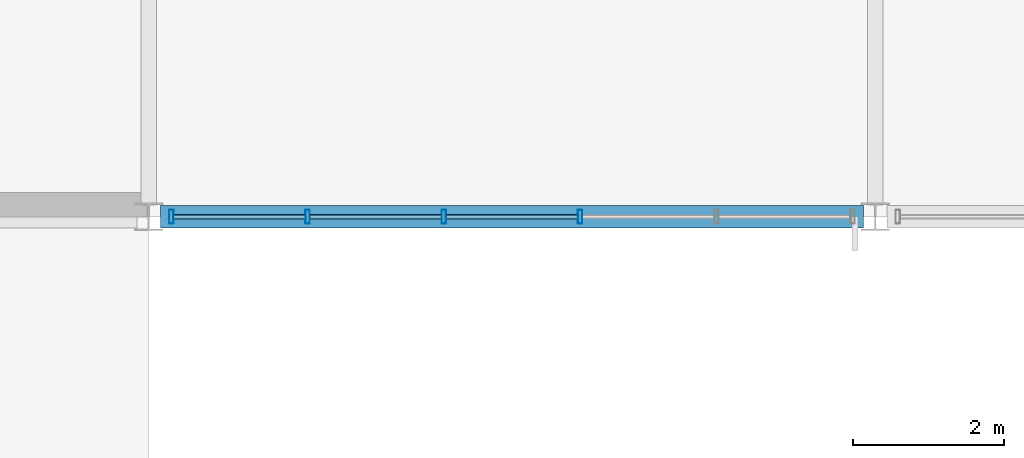
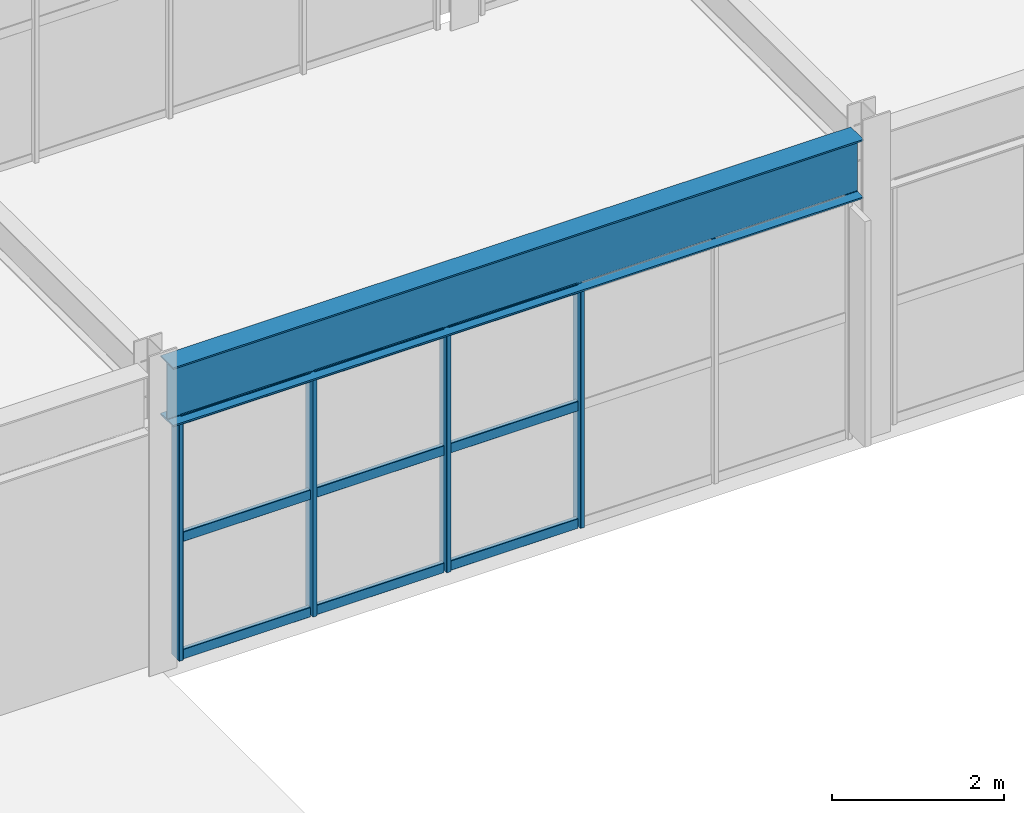
# One storey, part 53 of 170: 13 members, 1 beam, 1 element without a shape of its own.
"""IFC4 building model written with IfcOpenShell, lengths in metres."""

from ifc_helpers import new_model, si_unit, direction, frame, origin, origin_2d, place, context, subcontext, project, spatial, hollow_rectangle, i_section, extrude, material, material_profile, profile_set, type_object, element, aggregate, save


model = new_model("IFC4")

# Units and contexts
model_context = context("Model", 3, precision=1e-05, world=origin(), true_north=direction((0.0, 1.0)))
body_context = subcontext(model_context, "Body", "Model", "MODEL_VIEW")
ifc_project = project(units=[si_unit("LENGTHUNIT", "METRE"), si_unit("AREAUNIT", "SQUARE_METRE"), si_unit("VOLUMEUNIT", "CUBIC_METRE"), si_unit("PLANEANGLEUNIT", "RADIAN"), si_unit("MASSUNIT", "GRAM", prefix="KILO")], contexts=[model_context])

# Site, building, storey
site_placement = place(None, origin())
site = spatial("IfcSite", under=ifc_project, at=site_placement, CompositionType="ELEMENT")
building_placement = place(site_placement, origin())
building = spatial("IfcBuilding", under=site, at=building_placement, Name="Coralgate Yard Interchange", CompositionType="ELEMENT")
storey_placement = place(building_placement, frame((0.0, 0.0, 6.0)))
storey = spatial("IfcBuildingStorey", under=building, at=storey_placement, Name="L01", CompositionType="ELEMENT", Elevation=6.0)

# Beam
ifc_material_1 = material(Name="Structural steel S355J2", Category="steel")
ifc_material_profile_1 = material_profile(ifc_material_1, i_section(OverallWidth=0.29248046875, OverallDepth=0.8408203125, WebThickness=0.0146484375, FlangeThickness=0.021728515625, FilletRadius=0.017822265625, at=origin_2d()), Name="UB 838x292x194")
ifc_profile_set_1 = profile_set([ifc_material_profile_1], Name="Structural steel S355J2")
beam_type = type_object("IfcBeamType", Name="BM-SG-2", PredefinedType="BEAM", material=ifc_profile_set_1)
beam_placement = place(storey_placement, frame((57.75634765625, 38.39990234375, 3.82958984375), z_axis=(1.0, 0.0, 0.0), x_axis=(0.0, 1.0, 0.0)))
element("IfcBeam", 1, at=beam_placement, inside=storey, type_object=beam_type, Name="L01 primary grid beam Y4 X6-7", PredefinedType="BEAM", context=body_context, shape_type="SweptSolid", body=[
    extrude(i_section(OverallWidth=0.29248046875, OverallDepth=0.8408203125, WebThickness=0.0146484375, FlangeThickness=0.021728515625, FilletRadius=0.017822265625, at=origin_2d()), origin(), (0.0, 0.0, 1.0), 9.287353515625),
])

# Curtain wall, members
ifc_material_2 = material(Name="Anodised coastal aluminium and solar-control low-E glass", Category="aluminium")
curtain_wall_type = type_object("IfcCurtainWallType", Name="CW-CW-L01-A", PredefinedType="NOTDEFINED", material=ifc_material_2)
curtain_wall_placement = place(storey_placement, origin())
curtain_wall = element("IfcCurtainWall", 2, at=curtain_wall_placement, inside=storey, type_object=curtain_wall_type, Name="L01 unitised curtain wall CW-L01-S-06-04", PredefinedType="NOTDEFINED")
ifc_material_3 = material(Name="Anodised coastal aluminium 6063-T6", Category="aluminium")
ifc_material_profile_2 = material_profile(ifc_material_3, hollow_rectangle(XDim=0.06005859375, YDim=0.179931640625, WallThickness=0.00390625, InnerFilletRadius=0.00390625, OuterFilletRadius=0.008056640625, at=origin_2d()), Name="ALU 60x180x4")
ifc_profile_set_2 = profile_set([ifc_material_profile_2], Name="Anodised coastal aluminium 6063-T6")
member_type_1 = type_object("IfcMemberType", Name="MB-MUL-180", PredefinedType="MULLION", material=ifc_profile_set_2)
member_1_placement = place(storey_placement, frame((63.300048828125, 38.39990234375, 0.0), z_axis=(0.0, 0.0, 1.0), x_axis=(1.0, 0.0, 0.0)))
member_1 = element("IfcMember", 3, at=member_1_placement, type_object=member_type_1, Name="CW-L01-S-06-04 vertical mullion 3", PredefinedType="MULLION", context=body_context, shape_type="SweptSolid", body=[
    extrude(hollow_rectangle(XDim=0.06005859375, YDim=0.179931640625, WallThickness=0.00390625, InnerFilletRadius=0.00390625, OuterFilletRadius=0.008056640625, at=origin_2d()), origin(), (0.0, 0.0, 1.0), 3.4091796875),
])
member_2_placement = place(storey_placement, frame((61.5, 38.39990234375, 0.0), z_axis=(0.0, 0.0, 1.0), x_axis=(1.0, 0.0, 0.0)))
member_2 = element("IfcMember", 4, at=member_2_placement, type_object=member_type_1, Name="CW-L01-S-06-04 vertical mullion 4", PredefinedType="MULLION", context=body_context, shape_type="SweptSolid", body=[
    extrude(hollow_rectangle(XDim=0.06005859375, YDim=0.179931640625, WallThickness=0.00390625, InnerFilletRadius=0.00390625, OuterFilletRadius=0.008056640625, at=origin_2d()), origin(), (0.0, 0.0, 1.0), 3.4091796875),
])
member_3_placement = place(storey_placement, frame((59.699951171875, 38.39990234375, 0.0), z_axis=(0.0, 0.0, 1.0), x_axis=(1.0, 0.0, 0.0)))
member_3 = element("IfcMember", 5, at=member_3_placement, type_object=member_type_1, Name="CW-L01-S-06-04 vertical mullion 5", PredefinedType="MULLION", context=body_context, shape_type="SweptSolid", body=[
    extrude(hollow_rectangle(XDim=0.06005859375, YDim=0.179931640625, WallThickness=0.00390625, InnerFilletRadius=0.00390625, OuterFilletRadius=0.008056640625, at=origin_2d()), origin(), (0.0, 0.0, 1.0), 3.4091796875),
])
member_4_placement = place(storey_placement, frame((57.89990234375, 38.39990234375, 0.0), z_axis=(0.0, 0.0, 1.0), x_axis=(1.0, 0.0, 0.0)))
member_4 = element("IfcMember", 6, at=member_4_placement, type_object=member_type_1, Name="CW-L01-S-06-04 vertical mullion 6", PredefinedType="MULLION", context=body_context, shape_type="SweptSolid", body=[
    extrude(hollow_rectangle(XDim=0.06005859375, YDim=0.179931640625, WallThickness=0.00390625, InnerFilletRadius=0.00390625, OuterFilletRadius=0.008056640625, at=origin_2d()), origin(), (0.0, 0.0, 1.0), 3.4091796875),
])
ifc_material_profile_3 = material_profile(ifc_material_3, hollow_rectangle(XDim=0.06005859375, YDim=0.139892578125, WallThickness=0.00341796875, InnerFilletRadius=0.00341796875, OuterFilletRadius=0.007080078125, at=origin_2d()), Name="ALU 60x140x3.5")
ifc_profile_set_3 = profile_set([ifc_material_profile_3], Name="Anodised coastal aluminium 6063-T6")
member_type_2 = type_object("IfcMemberType", Name="MB-TRN-140", PredefinedType="USERDEFINED", material=ifc_profile_set_3)
member_5_placement = place(storey_placement, frame((63.27001953125, 38.39990234375, 0.034912109375), z_axis=(-1.0, 0.0, 0.0), x_axis=(0.0, -1.0, 0.0)))
member_5 = element("IfcMember", 7, at=member_5_placement, type_object=member_type_2, Name="CW-L01-S-06-04 horizontal transom 3-1", ObjectType="TRANSOM", PredefinedType="USERDEFINED", context=body_context, shape_type="SweptSolid", body=[
    extrude(hollow_rectangle(XDim=0.06005859375, YDim=0.139892578125, WallThickness=0.00341796875, InnerFilletRadius=0.00341796875, OuterFilletRadius=0.007080078125, at=origin_2d()), origin(), (0.0, 0.0, 1.0), 1.739990234375),
])
member_6_placement = place(storey_placement, frame((63.27001953125, 38.39990234375, 1.70458984375), z_axis=(-1.0, 0.0, 0.0), x_axis=(0.0, -1.0, 0.0)))
member_6 = element("IfcMember", 8, at=member_6_placement, type_object=member_type_2, Name="CW-L01-S-06-04 horizontal transom 3-2", ObjectType="TRANSOM", PredefinedType="USERDEFINED", context=body_context, shape_type="SweptSolid", body=[
    extrude(hollow_rectangle(XDim=0.06005859375, YDim=0.139892578125, WallThickness=0.00341796875, InnerFilletRadius=0.00341796875, OuterFilletRadius=0.007080078125, at=origin_2d()), origin(), (0.0, 0.0, 1.0), 1.739990234375),
])
member_7_placement = place(storey_placement, frame((63.27001953125, 38.39990234375, 3.374267578125), z_axis=(-1.0, 0.0, 0.0), x_axis=(0.0, -1.0, 0.0)))
member_7 = element("IfcMember", 9, at=member_7_placement, type_object=member_type_2, Name="CW-L01-S-06-04 horizontal transom 3-3", ObjectType="TRANSOM", PredefinedType="USERDEFINED", context=body_context, shape_type="SweptSolid", body=[
    extrude(hollow_rectangle(XDim=0.06005859375, YDim=0.139892578125, WallThickness=0.00341796875, InnerFilletRadius=0.00341796875, OuterFilletRadius=0.007080078125, at=origin_2d()), origin(), (0.0, 0.0, 1.0), 1.739990234375),
])
member_8_placement = place(storey_placement, frame((61.469970703125, 38.39990234375, 0.034912109375), z_axis=(-1.0, 0.0, 0.0), x_axis=(0.0, -1.0, 0.0)))
member_8 = element("IfcMember", 10, at=member_8_placement, type_object=member_type_2, Name="CW-L01-S-06-04 horizontal transom 4-1", ObjectType="TRANSOM", PredefinedType="USERDEFINED", context=body_context, shape_type="SweptSolid", body=[
    extrude(hollow_rectangle(XDim=0.06005859375, YDim=0.139892578125, WallThickness=0.00341796875, InnerFilletRadius=0.00341796875, OuterFilletRadius=0.007080078125, at=origin_2d()), origin(), (0.0, 0.0, 1.0), 1.739990234375),
])
member_9_placement = place(storey_placement, frame((61.469970703125, 38.39990234375, 1.70458984375), z_axis=(-1.0, 0.0, 0.0), x_axis=(0.0, -1.0, 0.0)))
member_9 = element("IfcMember", 11, at=member_9_placement, type_object=member_type_2, Name="CW-L01-S-06-04 horizontal transom 4-2", ObjectType="TRANSOM", PredefinedType="USERDEFINED", context=body_context, shape_type="SweptSolid", body=[
    extrude(hollow_rectangle(XDim=0.06005859375, YDim=0.139892578125, WallThickness=0.00341796875, InnerFilletRadius=0.00341796875, OuterFilletRadius=0.007080078125, at=origin_2d()), origin(), (0.0, 0.0, 1.0), 1.739990234375),
])
member_10_placement = place(storey_placement, frame((61.469970703125, 38.39990234375, 3.374267578125), z_axis=(-1.0, 0.0, 0.0), x_axis=(0.0, -1.0, 0.0)))
member_10 = element("IfcMember", 12, at=member_10_placement, type_object=member_type_2, Name="CW-L01-S-06-04 horizontal transom 4-3", ObjectType="TRANSOM", PredefinedType="USERDEFINED", context=body_context, shape_type="SweptSolid", body=[
    extrude(hollow_rectangle(XDim=0.06005859375, YDim=0.139892578125, WallThickness=0.00341796875, InnerFilletRadius=0.00341796875, OuterFilletRadius=0.007080078125, at=origin_2d()), origin(), (0.0, 0.0, 1.0), 1.739990234375),
])
member_11_placement = place(storey_placement, frame((59.669921875, 38.39990234375, 0.034912109375), z_axis=(-1.0, 0.0, 0.0), x_axis=(0.0, -1.0, 0.0)))
member_11 = element("IfcMember", 13, at=member_11_placement, type_object=member_type_2, Name="CW-L01-S-06-04 horizontal transom 5-1", ObjectType="TRANSOM", PredefinedType="USERDEFINED", context=body_context, shape_type="SweptSolid", body=[
    extrude(hollow_rectangle(XDim=0.06005859375, YDim=0.139892578125, WallThickness=0.00341796875, InnerFilletRadius=0.00341796875, OuterFilletRadius=0.007080078125, at=origin_2d()), origin(), (0.0, 0.0, 1.0), 1.739990234375),
])
member_12_placement = place(storey_placement, frame((59.669921875, 38.39990234375, 1.70458984375), z_axis=(-1.0, 0.0, 0.0), x_axis=(0.0, -1.0, 0.0)))
member_12 = element("IfcMember", 14, at=member_12_placement, type_object=member_type_2, Name="CW-L01-S-06-04 horizontal transom 5-2", ObjectType="TRANSOM", PredefinedType="USERDEFINED", context=body_context, shape_type="SweptSolid", body=[
    extrude(hollow_rectangle(XDim=0.06005859375, YDim=0.139892578125, WallThickness=0.00341796875, InnerFilletRadius=0.00341796875, OuterFilletRadius=0.007080078125, at=origin_2d()), origin(), (0.0, 0.0, 1.0), 1.739990234375),
])
member_13_placement = place(storey_placement, frame((59.669921875, 38.39990234375, 3.374267578125), z_axis=(-1.0, 0.0, 0.0), x_axis=(0.0, -1.0, 0.0)))
member_13 = element("IfcMember", 15, at=member_13_placement, type_object=member_type_2, Name="CW-L01-S-06-04 horizontal transom 5-3", ObjectType="TRANSOM", PredefinedType="USERDEFINED", context=body_context, shape_type="SweptSolid", body=[
    extrude(hollow_rectangle(XDim=0.06005859375, YDim=0.139892578125, WallThickness=0.00341796875, InnerFilletRadius=0.00341796875, OuterFilletRadius=0.007080078125, at=origin_2d()), origin(), (0.0, 0.0, 1.0), 1.739990234375),
])
aggregate(curtain_wall, [member_1, member_2, member_3, member_4, member_5, member_6, member_7, member_8, member_9, member_10, member_11, member_12, member_13])

save(model, "model.ifc")
